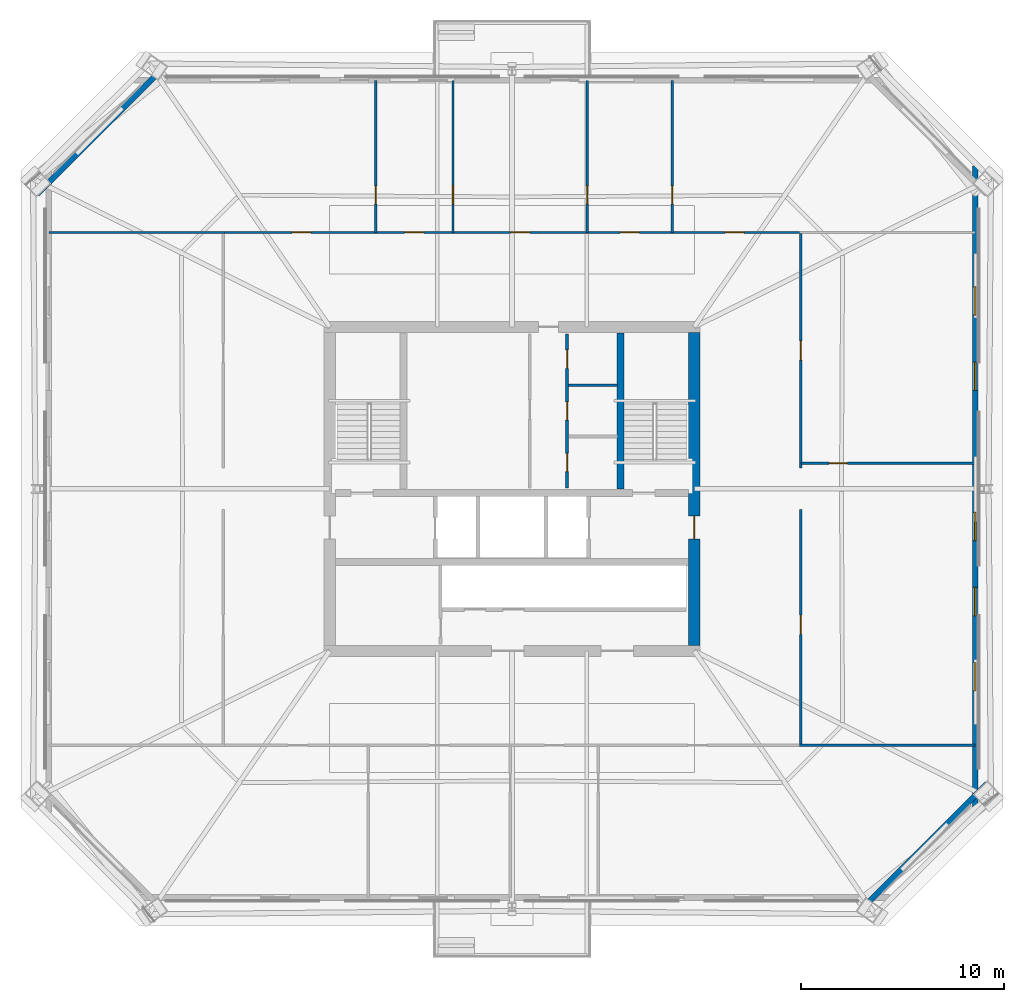
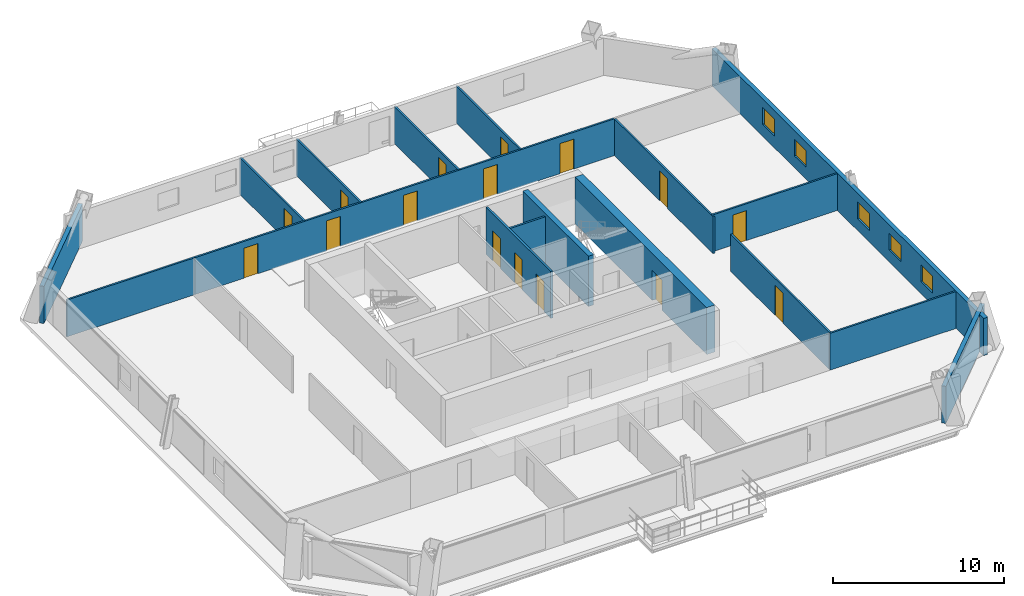
# One storey, part 4 of 7: 17 walls, 16 doors, 5 windows, 21 openings.
"""IFC4 building model written with IfcOpenShell, lengths in metres."""

import ifcopenshell
import ifcopenshell.guid

model = None  # the IFC model being written
_history = None  # IfcOwnerHistory: only IFC2X3 demands one
_inside = {}  # id of a spatial element -> (the spatial element, [elements in it])
_under = {}  # id of a project, library or spatial element -> (it, [spatial elements below it])
_declared = {}  # id of a project -> (the project, [libraries it declares])
_typed = {}  # id of a type object -> (the type object, [elements of that type])
_made_of = {}  # id of a material, layer set ... -> (it, [elements and type objects made of it])


def new_model(schema):
    """Start an empty IFC model of exactly this schema.

    Asked for "IFC4X3", IfcOpenShell would pick the latest addendum, in which some entities
    have other attributes; the version numbers below select the first issue.
    IFC2X3 requires an IfcOwnerHistory on every rooted entity: one is made here for all.
    """
    global model, _history
    if schema == "IFC4X3":
        model = ifcopenshell.file(schema_version=(4, 3, 0, 0))
    else:
        model = ifcopenshell.file(schema=schema)
    _inside.clear()
    _under.clear()
    _declared.clear()
    _typed.clear()
    _made_of.clear()
    _history = None
    if model.schema == "IFC2X3":
        org = make("IfcOrganization", Name="unknown")
        user = make(
            "IfcPersonAndOrganization",
            ThePerson=make("IfcPerson", FamilyName="unknown"),
            TheOrganization=org,
        )
        app = make(
            "IfcApplication",
            ApplicationDeveloper=org,
            Version="unknown",
            ApplicationFullName="unknown",
            ApplicationIdentifier="unknown",
        )
        _history = make(
            "IfcOwnerHistory",
            OwningUser=user,
            OwningApplication=app,
            ChangeAction="ADDED",
            CreationDate=0,
        )
    return model


def make(cls, **values):
    """One entity of the class cls with the attributes given. An attribute that is None is left unset."""
    return model.create_entity(
        cls, **{name: value for name, value in values.items() if value is not None}
    )


def rooted(cls, **values):
    """An entity with a GlobalId (a new one), such as an element, a storey or a relation."""
    return make(cls, GlobalId=ifcopenshell.guid.new(), OwnerHistory=_history, **values)


def si_unit(unit_type, name, prefix=None):
    """IfcSIUnit, for example si_unit("LENGTHUNIT", "METRE", prefix="MILLI")."""
    return make("IfcSIUnit", UnitType=unit_type, Prefix=prefix, Name=name)


def assignment(units):
    """IfcUnitAssignment: the units of a project."""
    return None if units is None else make("IfcUnitAssignment", Units=units)


def point(xyz):
    """IfcCartesianPoint."""
    return None if xyz is None else make("IfcCartesianPoint", Coordinates=xyz)


def direction(xyz):
    """IfcDirection."""
    return None if xyz is None else make("IfcDirection", DirectionRatios=xyz)


def frame(location, z_axis=None, x_axis=None):
    """IfcAxis2Placement3D, a coordinate frame: its origin and axes. An axis left out is left unset."""
    return make(
        "IfcAxis2Placement3D",
        Location=point(location),
        Axis=direction(z_axis),
        RefDirection=direction(x_axis),
    )


def frame_2d(location, x_axis=None):
    """IfcAxis2Placement2D, a coordinate frame in the plane: its origin and x axis."""
    return make(
        "IfcAxis2Placement2D", Location=point(location), RefDirection=direction(x_axis)
    )


def origin():
    """The frame at (0, 0, 0) with its axes left unset."""
    return frame((0.0, 0.0, 0.0))


def place(relative_to, where):
    """IfcLocalPlacement: puts the frame where relative to a parent placement (None: the world)."""
    return make(
        "IfcLocalPlacement", PlacementRelTo=relative_to, RelativePlacement=where
    )


def context(
    kind, dimensions, precision=None, world=None, true_north=None, identifier=None
):
    """IfcGeometricRepresentationContext, for example the 3D "Model" context."""
    return make(
        "IfcGeometricRepresentationContext",
        ContextIdentifier=identifier,
        ContextType=kind,
        CoordinateSpaceDimension=dimensions,
        Precision=precision,
        WorldCoordinateSystem=world,
        TrueNorth=true_north,
    )


def subcontext(parent, identifier, kind, view, scale=None):
    """IfcGeometricRepresentationSubContext, for example "Body" below "Model"."""
    return make(
        "IfcGeometricRepresentationSubContext",
        ContextIdentifier=identifier,
        ContextType=kind,
        ParentContext=parent,
        TargetScale=scale,
        TargetView=view,
    )


def project(units=None, contexts=None):
    """IfcProject with its units and contexts."""
    return rooted(
        "IfcProject",
        Name="project",
        RepresentationContexts=contexts,
        UnitsInContext=assignment(units),
    )


def spatial(cls, under=None, at=None, **own):
    """A site, building, storey or space (cls), placed at a placement, below another one or the project."""
    s = rooted(cls, ObjectPlacement=at, **own)
    if under is not None:
        _under.setdefault(under.id(), (under, []))[1].append(s)
    return s


def profile(cls, at=None, kind="AREA", **sizes):
    """A parametric profile (cls). Its sizes go by their IFC names, for example OverallWidth=200.0."""
    return make(cls, ProfileType=kind, Position=at, **sizes)


def rectangle(**sizes):
    """IfcRectangleProfileDef."""
    return profile("IfcRectangleProfileDef", **sizes)


def extrude(swept, where, along, depth):
    """IfcExtrudedAreaSolid: the profile swept, set in the frame where, extruded along a direction by depth."""
    return make(
        "IfcExtrudedAreaSolid",
        SweptArea=swept,
        Position=where,
        ExtrudedDirection=direction(along),
        Depth=depth,
    )


def shape(context_of_items, identifier, shape_type, items):
    """IfcShapeRepresentation: the items that make up one representation, for example the "Body"."""
    return make(
        "IfcShapeRepresentation",
        ContextOfItems=context_of_items,
        RepresentationIdentifier=identifier,
        RepresentationType=shape_type,
        Items=items,
    )


def material(Name=None, Category=None):
    """IfcMaterial."""
    return make("IfcMaterial", Name=Name, Category=Category)


def layer(
    of_material, thickness, ventilated=None, Name=None, Category=None, Priority=None
):
    """IfcMaterialLayer: one layer of a wall or slab, of a material (None: an air gap)."""
    return make(
        "IfcMaterialLayer",
        Material=of_material,
        LayerThickness=thickness,
        IsVentilated=ventilated,
        Name=Name,
        Category=Category,
        Priority=Priority,
    )


def layer_set(layers, Name=None):
    """IfcMaterialLayerSet."""
    return make("IfcMaterialLayerSet", MaterialLayers=layers, LayerSetName=Name)


def made_of(thing, what):
    """Note that an element or type object is made of a material, layer set ...; save() writes the relation."""
    if what is not None:
        _made_of.setdefault(what.id(), (what, []))[1].append(thing)
    return thing


def type_object(cls, material=None, **own):
    """A type object (cls), such as IfcWallType, which elements share."""
    return made_of(rooted(cls, **own), material)


def element(
    cls,
    number,
    at=None,
    inside=None,
    cuts=None,
    type_object=None,
    material=None,
    context=None,
    identifier="Body",
    shape_type=None,
    held_by="IfcProductDefinitionShape",
    body=None,
    shapes=None,
    **own,
):
    """One element of the class cls, such as IfcWall. Its Tag is "e" and its number.

    at: its placement. inside: the storey or other place that contains it. cuts: it is an
    opening in that element (IfcRelVoidsElement). A single representation is given by context,
    identifier, shape_type and body (its items); several are given by shapes. held_by: the class
    of the entity that holds the representations. save() writes the other relations.
    """
    e = rooted(cls, Tag="e%d" % number, ObjectPlacement=at, **own)
    if body is not None:
        shapes = [shape(context, identifier, shape_type, body)]
    if shapes is not None:
        e.Representation = make(held_by, Representations=shapes)
    if inside is not None:
        _inside.setdefault(inside.id(), (inside, []))[1].append(e)
    if cuts is not None:
        rooted(
            "IfcRelVoidsElement", RelatingBuildingElement=cuts, RelatedOpeningElement=e
        )
    if type_object is not None:
        _typed.setdefault(type_object.id(), (type_object, []))[1].append(e)
    return made_of(e, material)


def fill(opening, filler):
    """IfcRelFillsElement: the door or window that sits in an opening."""
    return rooted(
        "IfcRelFillsElement",
        RelatingOpeningElement=opening,
        RelatedBuildingElement=filler,
    )


def aggregate(whole, parts):
    """IfcRelAggregates: a whole, such as a stair, and the parts it consists of."""
    return rooted("IfcRelAggregates", RelatingObject=whole, RelatedObjects=parts)


def save(model, path):
    """Write the relations noted so far, then the file.

    IfcRelAggregates (storeys below a building ...), IfcRelContainedInSpatialStructure (elements
    in a storey), IfcRelDefinesByType, IfcRelAssociatesMaterial and IfcRelDeclares: one each for
    every whole, place, type object, material and project.
    """
    for whole, parts in _under.values():
        aggregate(whole, parts)
    for where, things in _inside.values():
        rooted(
            "IfcRelContainedInSpatialStructure",
            RelatedElements=things,
            RelatingStructure=where,
        )
    for kind, things in _typed.values():
        rooted("IfcRelDefinesByType", RelatedObjects=things, RelatingType=kind)
    for what, things in _made_of.values():
        rooted("IfcRelAssociatesMaterial", RelatedObjects=things, RelatingMaterial=what)
    for by, libraries in _declared.values():
        rooted("IfcRelDeclares", RelatingContext=by, RelatedDefinitions=libraries)
    model.write(path)


model = new_model("IFC4")

# Units and contexts
model_context = context("Model", 3, precision=1e-05, world=origin(), true_north=direction((0.0, 1.0)))
body_context = subcontext(model_context, "Body", "Model", "MODEL_VIEW")
ifc_project = project(units=[si_unit("LENGTHUNIT", "METRE"), si_unit("AREAUNIT", "SQUARE_METRE"), si_unit("VOLUMEUNIT", "CUBIC_METRE"), si_unit("PLANEANGLEUNIT", "RADIAN"), si_unit("MASSUNIT", "GRAM", prefix="KILO")], contexts=[model_context])

# Site, building, storey
site_placement = place(None, origin())
site = spatial("IfcSite", under=ifc_project, at=site_placement, CompositionType="ELEMENT")
building_placement = place(site_placement, origin())
building = spatial("IfcBuilding", under=site, at=building_placement, Name="Caelvoria Tower", CompositionType="ELEMENT")
storey_placement = place(building_placement, frame((0.0, 0.0, 113.199951171875)))
storey = spatial("IfcBuildingStorey", under=building, at=storey_placement, Name="L29", CompositionType="ELEMENT", Elevation=113.199951171875)

# Wall
ifc_material_1 = material(Name="Concrete C50/60", Category="concrete")
ifc_layer_1 = layer(ifc_material_1, 0.35009765625, Name="Concrete C50/60")
ifc_layer_set_1 = layer_set([ifc_layer_1], Name="Core Internal Shear Wall 350 - Concrete C50/60")
wall_type_1 = type_object("IfcWallType", Name="Core Internal Shear Wall 350", PredefinedType="SHEAR", material=ifc_layer_set_1)
wall_1_placement = place(storey_placement, frame((51.35009765625, 32.0, 0.0), z_axis=(0.0, 0.0, 1.0), x_axis=(0.0, 1.0, 0.0)))
element("IfcWall", 1, at=wall_1_placement, inside=storey, type_object=wall_type_1, Name="Interior Partition IW-L29-ST2W", PredefinedType="SHEAR", context=body_context, shape_type="SweptSolid", body=[
    extrude(rectangle(XDim=7.699951171875, YDim=0.35009765625, at=frame_2d((3.85009765625, 0.0))), origin(), (0.0, 0.0, 1.0), 3.60009765625),
])

# Wall, openings, doors
ifc_material_2 = material(Name="Moisture-Resistant Gypsum on Steel Stud", Category="steel")
ifc_layer_2 = layer(ifc_material_2, 0.139892578125, Name="Moisture-Resistant Gypsum on Steel Stud")
ifc_layer_set_2 = layer_set([ifc_layer_2], Name="Core Sanitary Acoustic Partition Wall 140 - Moisture-Resistant Gypsum on Steel Stud")
wall_type_2 = type_object("IfcWallType", Name="Core Sanitary Acoustic Partition Wall 140", PredefinedType="PARTITIONING", material=ifc_layer_set_2)
wall_2_placement = place(storey_placement, frame((48.719970703125, 32.050048828125, 0.0), z_axis=(0.0, 0.0, 1.0), x_axis=(0.0, 1.0, 0.0)))
wall_2 = element("IfcWall", 2, at=wall_2_placement, inside=storey, type_object=wall_type_2, Name="Interior Partition IW-L29-C2R", PredefinedType="PARTITIONING", context=body_context, shape_type="SweptSolid", body=[
    extrude(rectangle(XDim=7.599853515625, YDim=0.139892578125, at=frame_2d((3.7998046875, 0.0))), origin(), (0.0, 0.0, 1.0), 3.360107421875),
])
opening_1_placement = place(wall_2_placement, frame((0.800048828125, 0.0, 0.0)))
opening_1 = element("IfcOpeningElement", 3, at=opening_1_placement, cuts=wall_2, Name="Opening ID-04", PredefinedType="OPENING", context=body_context, shape_type="SweptSolid", body=[
    extrude(rectangle(XDim=0.89990234375, YDim=2.14990234375, at=frame_2d((0.449951171875, 1.074951171875))), frame((0.0, 0.079833984375, 0.0), z_axis=(0.0, -1.0, 0.0), x_axis=(1.0, 0.0, 0.0)), (0.0, 0.0, 1.0), 0.159912109375),
])
opening_2_placement = place(wall_2_placement, frame((3.35009765625, 0.0, 0.0)))
opening_2 = element("IfcOpeningElement", 4, at=opening_2_placement, cuts=wall_2, Name="Opening ID-06", PredefinedType="OPENING", context=body_context, shape_type="SweptSolid", body=[
    extrude(rectangle(XDim=0.89990234375, YDim=2.14990234375, at=frame_2d((0.449951171875, 1.074951171875))), frame((0.0, 0.079833984375, 0.0), z_axis=(0.0, -1.0, 0.0), x_axis=(1.0, 0.0, 0.0)), (0.0, 0.0, 1.0), 0.159912109375),
])
opening_3_placement = place(wall_2_placement, frame((5.89990234375, 0.0, 0.0)))
opening_3 = element("IfcOpeningElement", 5, at=opening_3_placement, cuts=wall_2, Name="Opening ID-07", PredefinedType="OPENING", context=body_context, shape_type="SweptSolid", body=[
    extrude(rectangle(XDim=0.919921875, YDim=2.14990234375, at=frame_2d((0.4599609375, 1.074951171875))), frame((0.0, 0.079833984375, 0.0), z_axis=(0.0, -1.0, 0.0), x_axis=(1.0, 0.0, 0.0)), (0.0, 0.0, 1.0), 0.159912109375),
])
ifc_material_3 = material(Name="Engineered Andean Oak Accessible Door", Category="wood")
door_type_1 = type_object("IfcDoorType", Name="Accessible WC Door 950x2150", OperationType="NOTDEFINED", PredefinedType="DOOR", material=ifc_material_3)
door_1_placement = place(opening_3_placement, origin())
door_1 = element("IfcDoor", 6, at=door_1_placement, inside=storey, type_object=door_type_1, Name="Interior Door DR-L29-C2E3", OperationType="SINGLE_SWING_RIGHT", OverallHeight=2.14990234375, OverallWidth=0.919921875, PredefinedType="DOOR", context=body_context, shape_type="SweptSolid", body=[
    extrude(rectangle(XDim=0.919921875, YDim=2.14990234375, at=frame_2d((0.4599609375, 1.074951171875))), frame((0.0, 0.02490234375, 0.0), z_axis=(0.0, -1.0, 0.0), x_axis=(1.0, 0.0, 0.0)), (0.0, 0.0, 1.0), 0.050048828125),
])
fill(opening_3, door_1)
ifc_material_4 = material(Name="Acoustic Timber Fire Door", Category="wood")
door_type_2 = type_object("IfcDoorType", Name="Fire Door FD30S 900x2150", OperationType="NOTDEFINED", PredefinedType="DOOR", material=ifc_material_4)
door_2_placement = place(opening_1_placement, origin())
door_2 = element("IfcDoor", 7, at=door_2_placement, inside=storey, type_object=door_type_2, Name="Interior Door DR-L29-C2E1", OperationType="SINGLE_SWING_RIGHT", OverallHeight=2.14990234375, OverallWidth=0.89990234375, PredefinedType="DOOR", context=body_context, shape_type="SweptSolid", body=[
    extrude(rectangle(XDim=0.89990234375, YDim=2.14990234375, at=frame_2d((0.449951171875, 1.074951171875))), frame((0.0, 0.02490234375, 0.0), z_axis=(0.0, -1.0, 0.0), x_axis=(1.0, 0.0, 0.0)), (0.0, 0.0, 1.0), 0.050048828125),
])
fill(opening_1, door_2)
ifc_material_5 = material(Name="Engineered Andean Oak Veneer Door", Category="wood")
door_type_3 = type_object("IfcDoorType", Name="Interior Timber Door 900x2150", OperationType="NOTDEFINED", PredefinedType="DOOR", material=ifc_material_5)
door_3_placement = place(opening_2_placement, origin())
door_3 = element("IfcDoor", 8, at=door_3_placement, inside=storey, type_object=door_type_3, Name="Interior Door DR-L29-C2E2", OperationType="SINGLE_SWING_LEFT", OverallHeight=2.14990234375, OverallWidth=0.89990234375, PredefinedType="DOOR", context=body_context, shape_type="SweptSolid", body=[
    extrude(rectangle(XDim=0.89990234375, YDim=2.14990234375, at=frame_2d((0.449951171875, 1.074951171875))), frame((0.0, 0.02490234375, 0.0), z_axis=(0.0, -1.0, 0.0), x_axis=(1.0, 0.0, 0.0)), (0.0, 0.0, 1.0), 0.050048828125),
])
fill(opening_2, door_3)

# Walls
wall_3_placement = place(storey_placement, frame((48.800048828125, 37.1201171875, 0.0), z_axis=(0.0, 0.0, 1.0), x_axis=(1.0, 0.0, 0.0)))
element("IfcWall", 9, at=wall_3_placement, inside=storey, type_object=wall_type_2, Name="Interior Partition IW-L29-C2H2", PredefinedType="PARTITIONING", context=body_context, shape_type="SweptSolid", body=[
    extrude(rectangle(XDim=2.39990234375, YDim=0.139892578125, at=frame_2d((1.199951171875, 0.0))), origin(), (0.0, 0.0, 1.0), 3.360107421875),
])
ifc_material_6 = material(Name="Precast Concrete C40/50 with Bronze Cladding", Category="concrete")
ifc_layer_3 = layer(ifc_material_6, 0.280029296875, Name="Precast Concrete C40/50 with Bronze Cladding")
ifc_layer_set_3 = layer_set([ifc_layer_3], Name="Exterior Precast Concrete C40/50 Bronze-Clad Facade Wall 280 - Precast Concrete C40/50 with Bronze Cladding")
wall_type_3 = type_object("IfcWallType", Name="Exterior Precast Concrete C40/50 Bronze-Clad Facade Wall 280", PredefinedType="STANDARD", material=ifc_layer_set_3)
wall_4_placement = place(storey_placement, frame((63.25439453125, 11.256103515625, 0.0), z_axis=(0.0, 0.0, 1.0), x_axis=(0.707106781187, 0.707106781187, 0.0)))
element("IfcWall", 10, at=wall_4_placement, inside=storey, type_object=wall_type_3, Name="Exterior Facade Wall L29-E1", PredefinedType="STANDARD", context=body_context, shape_type="SweptSolid", body=[
    extrude(rectangle(XDim=8.753173828125, YDim=0.280029296875, at=frame_2d((4.37646484375, 0.0))), origin(), (0.0, 0.0, 1.0), 2.662109375),
])

# Wall, openings, windows
wall_5_placement = place(storey_placement, frame((68.8701171875, 16.06005859375, 0.0), z_axis=(0.0, 0.0, 1.0), x_axis=(0.0, 1.0, 0.0)))
wall_5 = element("IfcWall", 11, at=wall_5_placement, inside=storey, type_object=wall_type_3, Name="Exterior Facade Wall L29-E2", PredefinedType="STANDARD", context=body_context, shape_type="SweptSolid", body=[
    extrude(rectangle(XDim=31.8798828125, YDim=0.280029296875, at=frame_2d((15.93994140625, 0.0))), origin(), (0.0, 0.0, 1.0), 2.662109375),
])
opening_4_placement = place(wall_5_placement, frame((5.965087890625, 0.0, 0.85009765625)))
opening_4 = element("IfcOpeningElement", 12, at=opening_4_placement, cuts=wall_5, Name="Opening WN-06", PredefinedType="OPENING", context=body_context, shape_type="SweptSolid", body=[
    extrude(rectangle(XDim=1.39990234375, YDim=1.199951171875, at=frame_2d((0.699951171875, 0.60009765625))), frame((0.0, 0.14990234375, 0.0), z_axis=(0.0, -1.0, 0.0), x_axis=(1.0, 0.0, 0.0)), (0.0, 0.0, 1.0), 0.300048828125),
])
opening_5_placement = place(wall_5_placement, frame((9.675048828125, 0.0, 0.85009765625)))
opening_5 = element("IfcOpeningElement", 13, at=opening_5_placement, cuts=wall_5, Name="Opening WN-06", PredefinedType="OPENING", context=body_context, shape_type="SweptSolid", body=[
    extrude(rectangle(XDim=1.39990234375, YDim=1.199951171875, at=frame_2d((0.699951171875, 0.60009765625))), frame((0.0, 0.14990234375, 0.0), z_axis=(0.0, -1.0, 0.0), x_axis=(1.0, 0.0, 0.0)), (0.0, 0.0, 1.0), 0.300048828125),
])
opening_6_placement = place(wall_5_placement, frame((13.385009765625, 0.0, 0.85009765625)))
opening_6 = element("IfcOpeningElement", 14, at=opening_6_placement, cuts=wall_5, Name="Opening WN-06", PredefinedType="OPENING", context=body_context, shape_type="SweptSolid", body=[
    extrude(rectangle(XDim=1.39990234375, YDim=1.199951171875, at=frame_2d((0.699951171875, 0.60009765625))), frame((0.0, 0.14990234375, 0.0), z_axis=(0.0, -1.0, 0.0), x_axis=(1.0, 0.0, 0.0)), (0.0, 0.0, 1.0), 0.300048828125),
])
opening_7_placement = place(wall_5_placement, frame((20.804931640625, 0.0, 0.85009765625)))
opening_7 = element("IfcOpeningElement", 15, at=opening_7_placement, cuts=wall_5, Name="Opening WN-06", PredefinedType="OPENING", context=body_context, shape_type="SweptSolid", body=[
    extrude(rectangle(XDim=1.39990234375, YDim=1.199951171875, at=frame_2d((0.699951171875, 0.60009765625))), frame((0.0, 0.14990234375, 0.0), z_axis=(0.0, -1.0, 0.0), x_axis=(1.0, 0.0, 0.0)), (0.0, 0.0, 1.0), 0.300048828125),
])
opening_8_placement = place(wall_5_placement, frame((24.514892578125, 0.0, 0.85009765625)))
opening_8 = element("IfcOpeningElement", 16, at=opening_8_placement, cuts=wall_5, Name="Opening WN-06", PredefinedType="OPENING", context=body_context, shape_type="SweptSolid", body=[
    extrude(rectangle(XDim=1.39990234375, YDim=1.199951171875, at=frame_2d((0.699951171875, 0.60009765625))), frame((0.0, 0.14990234375, 0.0), z_axis=(0.0, -1.0, 0.0), x_axis=(1.0, 0.0, 0.0)), (0.0, 0.0, 1.0), 0.300048828125),
])
ifc_material_7 = material(Name="Low-E Tinted Glass in Bronze Aluminium Frame", Category="aluminium")
window_type = type_object("IfcWindowType", Name="Podium Clerestory Window 1400x1200", PartitioningType="SINGLE_PANEL", PredefinedType="WINDOW", material=ifc_material_7)
window_1_placement = place(opening_4_placement, origin())
window_1 = element("IfcWindow", 17, at=window_1_placement, inside=storey, type_object=window_type, Name="Facade Window L29-E2-01", OverallHeight=1.199951171875, OverallWidth=1.39990234375, PartitioningType="SINGLE_PANEL", PredefinedType="WINDOW", context=body_context, shape_type="SweptSolid", body=[
    extrude(rectangle(XDim=1.39990234375, YDim=1.199951171875, at=frame_2d((0.699951171875, 0.60009765625))), frame((0.0, 0.030029296875, 0.0), z_axis=(0.0, -1.0, 0.0), x_axis=(1.0, 0.0, 0.0)), (0.0, 0.0, 1.0), 0.06005859375),
])
fill(opening_4, window_1)
window_2_placement = place(opening_5_placement, origin())
window_2 = element("IfcWindow", 18, at=window_2_placement, inside=storey, type_object=window_type, Name="Facade Window L29-E2-02", OverallHeight=1.199951171875, OverallWidth=1.39990234375, PartitioningType="SINGLE_PANEL", PredefinedType="WINDOW", context=body_context, shape_type="SweptSolid", body=[
    extrude(rectangle(XDim=1.39990234375, YDim=1.199951171875, at=frame_2d((0.699951171875, 0.60009765625))), frame((0.0, 0.030029296875, 0.0), z_axis=(0.0, -1.0, 0.0), x_axis=(1.0, 0.0, 0.0)), (0.0, 0.0, 1.0), 0.06005859375),
])
fill(opening_5, window_2)
window_3_placement = place(opening_6_placement, origin())
window_3 = element("IfcWindow", 19, at=window_3_placement, inside=storey, type_object=window_type, Name="Facade Window L29-E2-03", OverallHeight=1.199951171875, OverallWidth=1.39990234375, PartitioningType="SINGLE_PANEL", PredefinedType="WINDOW", context=body_context, shape_type="SweptSolid", body=[
    extrude(rectangle(XDim=1.39990234375, YDim=1.199951171875, at=frame_2d((0.699951171875, 0.60009765625))), frame((0.0, 0.030029296875, 0.0), z_axis=(0.0, -1.0, 0.0), x_axis=(1.0, 0.0, 0.0)), (0.0, 0.0, 1.0), 0.06005859375),
])
fill(opening_6, window_3)
window_4_placement = place(opening_7_placement, origin())
window_4 = element("IfcWindow", 20, at=window_4_placement, inside=storey, type_object=window_type, Name="Facade Window L29-E2-05", OverallHeight=1.199951171875, OverallWidth=1.39990234375, PartitioningType="SINGLE_PANEL", PredefinedType="WINDOW", context=body_context, shape_type="SweptSolid", body=[
    extrude(rectangle(XDim=1.39990234375, YDim=1.199951171875, at=frame_2d((0.699951171875, 0.60009765625))), frame((0.0, 0.030029296875, 0.0), z_axis=(0.0, -1.0, 0.0), x_axis=(1.0, 0.0, 0.0)), (0.0, 0.0, 1.0), 0.06005859375),
])
fill(opening_7, window_4)
window_5_placement = place(opening_8_placement, origin())
window_5 = element("IfcWindow", 21, at=window_5_placement, inside=storey, type_object=window_type, Name="Facade Window L29-E2-06", OverallHeight=1.199951171875, OverallWidth=1.39990234375, PartitioningType="SINGLE_PANEL", PredefinedType="WINDOW", context=body_context, shape_type="SweptSolid", body=[
    extrude(rectangle(XDim=1.39990234375, YDim=1.199951171875, at=frame_2d((0.699951171875, 0.60009765625))), frame((0.0, 0.030029296875, 0.0), z_axis=(0.0, -1.0, 0.0), x_axis=(1.0, 0.0, 0.0)), (0.0, 0.0, 1.0), 0.06005859375),
])
fill(opening_8, window_5)

# Wall
wall_6_placement = place(storey_placement, frame((28.74560546875, 52.743896484375, 0.0), z_axis=(0.0, 0.0, 1.0), x_axis=(-0.707106781187, -0.707106781187, 0.0)))
element("IfcWall", 22, at=wall_6_placement, inside=storey, type_object=wall_type_3, Name="Exterior Facade Wall L29-E5", PredefinedType="STANDARD", context=body_context, shape_type="SweptSolid", body=[
    extrude(rectangle(XDim=8.753173828125, YDim=0.280029296875, at=frame_2d((4.37646484375, 0.0))), origin(), (0.0, 0.0, 1.0), 2.662109375),
])

# Wall, opening, door
ifc_material_8 = material(Name="Concrete C55/67", Category="concrete")
ifc_layer_4 = layer(ifc_material_8, 0.550048828125, Name="Concrete C55/67")
ifc_layer_set_4 = layer_set([ifc_layer_4], Name="Mid Core Shear Wall 550 - Concrete C55/67")
wall_type_4 = type_object("IfcWallType", Name="Mid Core Shear Wall 550", PredefinedType="SHEAR", material=ifc_layer_set_4)
wall_7_placement = place(storey_placement, frame((55.0, 24.27490234375, 0.0), z_axis=(0.0, 0.0, 1.0), x_axis=(0.0, 1.0, 0.0)))
wall_7 = element("IfcWall", 23, at=wall_7_placement, inside=storey, type_object=wall_type_4, Name="Core Shear Wall L29 E", PredefinedType="SHEAR", context=body_context, shape_type="SweptSolid", body=[
    extrude(rectangle(XDim=15.4501953125, YDim=0.550048828125, at=frame_2d((7.72509765625, 0.0))), origin(), (0.0, 0.0, 1.0), 3.360107421875),
])
opening_9_placement = place(wall_7_placement, frame((5.25, 0.0, 0.0)))
opening_9 = element("IfcOpeningElement", 24, at=opening_9_placement, cuts=wall_7, Name="Opening ID-02", PredefinedType="OPENING", context=body_context, shape_type="SweptSolid", body=[
    extrude(rectangle(XDim=1.14990234375, YDim=2.14990234375, at=frame_2d((0.574951171875, 1.074951171875))), frame((0.0, 0.284912109375, 0.0), z_axis=(0.0, -1.0, 0.0), x_axis=(1.0, 0.0, 0.0)), (0.0, 0.0, 1.0), 0.570068359375),
])
ifc_material_9 = material(Name="Painted Hollow Steel Fire Door", Category="steel")
door_type_4 = type_object("IfcDoorType", Name="Fire Door FD60S 1150x2150", OperationType="NOTDEFINED", PredefinedType="DOOR", material=ifc_material_9)
door_4_placement = place(opening_9_placement, origin())
door_4 = element("IfcDoor", 25, at=door_4_placement, inside=storey, type_object=door_type_4, Name="Core Door DR-L29-FFLE-OUT", OperationType="SINGLE_SWING_RIGHT", OverallHeight=2.14990234375, OverallWidth=1.14990234375, PredefinedType="DOOR", context=body_context, shape_type="SweptSolid", body=[
    extrude(rectangle(XDim=1.14990234375, YDim=2.14990234375, at=frame_2d((0.574951171875, 1.074951171875))), frame((0.0, 0.02490234375, 0.0), z_axis=(0.0, -1.0, 0.0), x_axis=(1.0, 0.0, 0.0)), (0.0, 0.0, 1.0), 0.050048828125),
])
fill(opening_9, door_4)

ifc_material_10 = material(Name="Acoustic Gypsum Board on Light-Gauge Stud", Category="gypsum")
ifc_layer_5 = layer(ifc_material_10, 0.1201171875, Name="Acoustic Gypsum Board on Light-Gauge Stud")
ifc_layer_set_5 = layer_set([ifc_layer_5], Name="Tenant Suite Acoustic Partition Wall 120 - Acoustic Gypsum Board on Light-Gauge Stud")
wall_type_5 = type_object("IfcWallType", Name="Tenant Suite Acoustic Partition Wall 120", PredefinedType="PARTITIONING", material=ifc_layer_set_5)
wall_8_placement = place(storey_placement, frame((39.265625, 44.659912109375, 0.0), z_axis=(0.0, 0.0, 1.0), x_axis=(0.0, 1.0, 0.0)))
wall_8 = element("IfcWall", 26, at=wall_8_placement, inside=storey, type_object=wall_type_5, Name="Interior Partition IW-L29-ND-00-0", PredefinedType="PARTITIONING", context=body_context, shape_type="SweptSolid", body=[
    extrude(rectangle(XDim=7.510009765625, YDim=0.1201171875, at=frame_2d((3.7548828125, 0.0))), origin(), (0.0, 0.0, 1.0), 2.64013671875),
])
opening_10_placement = place(wall_8_placement, frame((1.39990234375, 0.0, 0.0)))
opening_10 = element("IfcOpeningElement", 27, at=opening_10_placement, cuts=wall_8, Name="Opening ID-06", PredefinedType="OPENING", context=body_context, shape_type="SweptSolid", body=[
    extrude(rectangle(XDim=0.89990234375, YDim=2.14990234375, at=frame_2d((0.449951171875, 1.074951171875))), frame((0.0, 0.070068359375, 0.0), z_axis=(0.0, -1.0, 0.0), x_axis=(1.0, 0.0, 0.0)), (0.0, 0.0, 1.0), 0.14013671875),
])
door_5_placement = place(opening_10_placement, origin())
door_5 = element("IfcDoor", 28, at=door_5_placement, inside=storey, type_object=door_type_3, Name="Interior Door DR-L29-NM-00-0", OperationType="SINGLE_SWING_RIGHT", OverallHeight=2.14990234375, OverallWidth=0.89990234375, PredefinedType="DOOR", context=body_context, shape_type="SweptSolid", body=[
    extrude(rectangle(XDim=0.89990234375, YDim=2.14990234375, at=frame_2d((0.449951171875, 1.074951171875))), frame((0.0, 0.02490234375, 0.0), z_axis=(0.0, -1.0, 0.0), x_axis=(1.0, 0.0, 0.0)), (0.0, 0.0, 1.0), 0.050048828125),
])
fill(opening_10, door_5)

wall_9_placement = place(storey_placement, frame((43.087158203125, 44.659912109375, 0.0), z_axis=(0.0, 0.0, 1.0), x_axis=(0.0, 1.0, 0.0)))
wall_9 = element("IfcWall", 29, at=wall_9_placement, inside=storey, type_object=wall_type_5, Name="Interior Partition IW-L29-ND-01-0", PredefinedType="PARTITIONING", context=body_context, shape_type="SweptSolid", body=[
    extrude(rectangle(XDim=7.510009765625, YDim=0.1201171875, at=frame_2d((3.7548828125, 0.0))), origin(), (0.0, 0.0, 1.0), 2.64013671875),
])
opening_11_placement = place(wall_9_placement, frame((1.39990234375, 0.0, 0.0)))
opening_11 = element("IfcOpeningElement", 30, at=opening_11_placement, cuts=wall_9, Name="Opening ID-06", PredefinedType="OPENING", context=body_context, shape_type="SweptSolid", body=[
    extrude(rectangle(XDim=0.89990234375, YDim=2.14990234375, at=frame_2d((0.449951171875, 1.074951171875))), frame((0.0, 0.070068359375, 0.0), z_axis=(0.0, -1.0, 0.0), x_axis=(1.0, 0.0, 0.0)), (0.0, 0.0, 1.0), 0.14013671875),
])
door_6_placement = place(opening_11_placement, origin())
door_6 = element("IfcDoor", 31, at=door_6_placement, inside=storey, type_object=door_type_3, Name="Interior Door DR-L29-NM-01-0", OperationType="SINGLE_SWING_LEFT", OverallHeight=2.14990234375, OverallWidth=0.89990234375, PredefinedType="DOOR", context=body_context, shape_type="SweptSolid", body=[
    extrude(rectangle(XDim=0.89990234375, YDim=2.14990234375, at=frame_2d((0.449951171875, 1.074951171875))), frame((0.0, 0.02490234375, 0.0), z_axis=(0.0, -1.0, 0.0), x_axis=(1.0, 0.0, 0.0)), (0.0, 0.0, 1.0), 0.050048828125),
])
fill(opening_11, door_6)

wall_10_placement = place(storey_placement, frame((49.716796875, 44.659912109375, 0.0), z_axis=(0.0, 0.0, 1.0), x_axis=(0.0, 1.0, 0.0)))
wall_10 = element("IfcWall", 32, at=wall_10_placement, inside=storey, type_object=wall_type_5, Name="Interior Partition IW-L29-ND-02-0", PredefinedType="PARTITIONING", context=body_context, shape_type="SweptSolid", body=[
    extrude(rectangle(XDim=7.510009765625, YDim=0.1201171875, at=frame_2d((3.7548828125, 0.0))), origin(), (0.0, 0.0, 1.0), 2.64013671875),
])
opening_12_placement = place(wall_10_placement, frame((1.39990234375, 0.0, 0.0)))
opening_12 = element("IfcOpeningElement", 33, at=opening_12_placement, cuts=wall_10, Name="Opening ID-06", PredefinedType="OPENING", context=body_context, shape_type="SweptSolid", body=[
    extrude(rectangle(XDim=0.89990234375, YDim=2.14990234375, at=frame_2d((0.449951171875, 1.074951171875))), frame((0.0, 0.070068359375, 0.0), z_axis=(0.0, -1.0, 0.0), x_axis=(1.0, 0.0, 0.0)), (0.0, 0.0, 1.0), 0.14013671875),
])
door_7_placement = place(opening_12_placement, origin())
door_7 = element("IfcDoor", 34, at=door_7_placement, inside=storey, type_object=door_type_3, Name="Interior Door DR-L29-NM-02-0", OperationType="SINGLE_SWING_RIGHT", OverallHeight=2.14990234375, OverallWidth=0.89990234375, PredefinedType="DOOR", context=body_context, shape_type="SweptSolid", body=[
    extrude(rectangle(XDim=0.89990234375, YDim=2.14990234375, at=frame_2d((0.449951171875, 1.074951171875))), frame((0.0, 0.02490234375, 0.0), z_axis=(0.0, -1.0, 0.0), x_axis=(1.0, 0.0, 0.0)), (0.0, 0.0, 1.0), 0.050048828125),
])
fill(opening_12, door_7)

wall_11_placement = place(storey_placement, frame((53.906494140625, 44.659912109375, 0.0), z_axis=(0.0, 0.0, 1.0), x_axis=(0.0, 1.0, 0.0)))
wall_11 = element("IfcWall", 35, at=wall_11_placement, inside=storey, type_object=wall_type_5, Name="Interior Partition IW-L29-ND-03-0", PredefinedType="PARTITIONING", context=body_context, shape_type="SweptSolid", body=[
    extrude(rectangle(XDim=7.510009765625, YDim=0.1201171875, at=frame_2d((3.7548828125, 0.0))), origin(), (0.0, 0.0, 1.0), 2.64013671875),
])
opening_13_placement = place(wall_11_placement, frame((1.39990234375, 0.0, 0.0)))
opening_13 = element("IfcOpeningElement", 36, at=opening_13_placement, cuts=wall_11, Name="Opening ID-06", PredefinedType="OPENING", context=body_context, shape_type="SweptSolid", body=[
    extrude(rectangle(XDim=0.89990234375, YDim=2.14990234375, at=frame_2d((0.449951171875, 1.074951171875))), frame((0.0, 0.070068359375, 0.0), z_axis=(0.0, -1.0, 0.0), x_axis=(1.0, 0.0, 0.0)), (0.0, 0.0, 1.0), 0.14013671875),
])
door_8_placement = place(opening_13_placement, origin())
door_8 = element("IfcDoor", 37, at=door_8_placement, inside=storey, type_object=door_type_3, Name="Interior Door DR-L29-NM-03-0", OperationType="SINGLE_SWING_LEFT", OverallHeight=2.14990234375, OverallWidth=0.89990234375, PredefinedType="DOOR", context=body_context, shape_type="SweptSolid", body=[
    extrude(rectangle(XDim=0.89990234375, YDim=2.14990234375, at=frame_2d((0.449951171875, 1.074951171875))), frame((0.0, 0.02490234375, 0.0), z_axis=(0.0, -1.0, 0.0), x_axis=(1.0, 0.0, 0.0)), (0.0, 0.0, 1.0), 0.050048828125),
])
fill(opening_13, door_8)

# Wall, openings, doors
wall_12_placement = place(storey_placement, frame((31.800048828125, 44.659912109375, 0.0), z_axis=(0.0, 0.0, 1.0), x_axis=(1.0, 0.0, 0.0)))
wall_12 = element("IfcWall", 38, at=wall_12_placement, inside=storey, type_object=wall_type_5, Name="Interior Partition IW-L29-NCW-0", PredefinedType="PARTITIONING", context=body_context, shape_type="SweptSolid", body=[
    extrude(rectangle(XDim=28.39990234375, YDim=0.1201171875, at=frame_2d((14.199951171875, 0.0))), origin(), (0.0, 0.0, 1.0), 2.64013671875),
])
opening_14_placement = place(wall_12_placement, frame((3.327880859375, 0.0, 0.0)))
opening_14 = element("IfcOpeningElement", 39, at=opening_14_placement, cuts=wall_12, Name="Opening ID-05", PredefinedType="OPENING", context=body_context, shape_type="SweptSolid", body=[
    extrude(rectangle(XDim=0.949951171875, YDim=2.14990234375, at=frame_2d((0.47509765625, 1.074951171875))), frame((0.0, 0.070068359375, 0.0), z_axis=(0.0, -1.0, 0.0), x_axis=(1.0, 0.0, 0.0)), (0.0, 0.0, 1.0), 0.14013671875),
])
opening_15_placement = place(wall_12_placement, frame((8.9013671875, 0.0, 0.0)))
opening_15 = element("IfcOpeningElement", 40, at=opening_15_placement, cuts=wall_12, Name="Opening ID-05", PredefinedType="OPENING", context=body_context, shape_type="SweptSolid", body=[
    extrude(rectangle(XDim=0.949951171875, YDim=2.14990234375, at=frame_2d((0.47509765625, 1.074951171875))), frame((0.0, 0.070068359375, 0.0), z_axis=(0.0, -1.0, 0.0), x_axis=(1.0, 0.0, 0.0)), (0.0, 0.0, 1.0), 0.14013671875),
])
opening_16_placement = place(wall_12_placement, frame((14.126953125, 0.0, 0.0)))
opening_16 = element("IfcOpeningElement", 41, at=opening_16_placement, cuts=wall_12, Name="Opening ID-05", PredefinedType="OPENING", context=body_context, shape_type="SweptSolid", body=[
    extrude(rectangle(XDim=0.949951171875, YDim=2.14990234375, at=frame_2d((0.47509765625, 1.074951171875))), frame((0.0, 0.070068359375, 0.0), z_axis=(0.0, -1.0, 0.0), x_axis=(1.0, 0.0, 0.0)), (0.0, 0.0, 1.0), 0.14013671875),
])
opening_17_placement = place(wall_12_placement, frame((19.536865234375, 0.0, 0.0)))
opening_17 = element("IfcOpeningElement", 42, at=opening_17_placement, cuts=wall_12, Name="Opening ID-05", PredefinedType="OPENING", context=body_context, shape_type="SweptSolid", body=[
    extrude(rectangle(XDim=0.949951171875, YDim=2.14990234375, at=frame_2d((0.47509765625, 1.074951171875))), frame((0.0, 0.070068359375, 0.0), z_axis=(0.0, -1.0, 0.0), x_axis=(1.0, 0.0, 0.0)), (0.0, 0.0, 1.0), 0.14013671875),
])
opening_18_placement = place(wall_12_placement, frame((24.708251953125, 0.0, 0.0)))
opening_18 = element("IfcOpeningElement", 43, at=opening_18_placement, cuts=wall_12, Name="Opening ID-05", PredefinedType="OPENING", context=body_context, shape_type="SweptSolid", body=[
    extrude(rectangle(XDim=0.949951171875, YDim=2.14990234375, at=frame_2d((0.47509765625, 1.074951171875))), frame((0.0, 0.070068359375, 0.0), z_axis=(0.0, -1.0, 0.0), x_axis=(1.0, 0.0, 0.0)), (0.0, 0.0, 1.0), 0.14013671875),
])
door_type_5 = type_object("IfcDoorType", Name="Interior Timber Door 950x2150", OperationType="NOTDEFINED", PredefinedType="DOOR", material=ifc_material_5)
door_9_placement = place(opening_14_placement, origin())
door_9 = element("IfcDoor", 44, at=door_9_placement, inside=storey, type_object=door_type_5, Name="Interior Door DR-L29-NC-00-0", OperationType="SINGLE_SWING_RIGHT", OverallHeight=2.14990234375, OverallWidth=0.949951171875, PredefinedType="DOOR", context=body_context, shape_type="SweptSolid", body=[
    extrude(rectangle(XDim=0.949951171875, YDim=2.14990234375, at=frame_2d((0.47509765625, 1.074951171875))), frame((0.0, 0.02490234375, 0.0), z_axis=(0.0, -1.0, 0.0), x_axis=(1.0, 0.0, 0.0)), (0.0, 0.0, 1.0), 0.050048828125),
])
fill(opening_14, door_9)
door_10_placement = place(opening_15_placement, origin())
door_10 = element("IfcDoor", 45, at=door_10_placement, inside=storey, type_object=door_type_5, Name="Interior Door DR-L29-NC-01-0", OperationType="SINGLE_SWING_LEFT", OverallHeight=2.14990234375, OverallWidth=0.949951171875, PredefinedType="DOOR", context=body_context, shape_type="SweptSolid", body=[
    extrude(rectangle(XDim=0.949951171875, YDim=2.14990234375, at=frame_2d((0.47509765625, 1.074951171875))), frame((0.0, 0.02490234375, 0.0), z_axis=(0.0, -1.0, 0.0), x_axis=(1.0, 0.0, 0.0)), (0.0, 0.0, 1.0), 0.050048828125),
])
fill(opening_15, door_10)
door_11_placement = place(opening_16_placement, origin())
door_11 = element("IfcDoor", 46, at=door_11_placement, inside=storey, type_object=door_type_5, Name="Interior Door DR-L29-NC-02-0", OperationType="SINGLE_SWING_RIGHT", OverallHeight=2.14990234375, OverallWidth=0.949951171875, PredefinedType="DOOR", context=body_context, shape_type="SweptSolid", body=[
    extrude(rectangle(XDim=0.949951171875, YDim=2.14990234375, at=frame_2d((0.47509765625, 1.074951171875))), frame((0.0, 0.02490234375, 0.0), z_axis=(0.0, -1.0, 0.0), x_axis=(1.0, 0.0, 0.0)), (0.0, 0.0, 1.0), 0.050048828125),
])
fill(opening_16, door_11)
door_12_placement = place(opening_17_placement, origin())
door_12 = element("IfcDoor", 47, at=door_12_placement, inside=storey, type_object=door_type_5, Name="Interior Door DR-L29-NC-03-0", OperationType="SINGLE_SWING_LEFT", OverallHeight=2.14990234375, OverallWidth=0.949951171875, PredefinedType="DOOR", context=body_context, shape_type="SweptSolid", body=[
    extrude(rectangle(XDim=0.949951171875, YDim=2.14990234375, at=frame_2d((0.47509765625, 1.074951171875))), frame((0.0, 0.02490234375, 0.0), z_axis=(0.0, -1.0, 0.0), x_axis=(1.0, 0.0, 0.0)), (0.0, 0.0, 1.0), 0.050048828125),
])
fill(opening_17, door_12)
door_13_placement = place(opening_18_placement, origin())
door_13 = element("IfcDoor", 48, at=door_13_placement, inside=storey, type_object=door_type_5, Name="Interior Door DR-L29-NC-04-0", OperationType="SINGLE_SWING_RIGHT", OverallHeight=2.14990234375, OverallWidth=0.949951171875, PredefinedType="DOOR", context=body_context, shape_type="SweptSolid", body=[
    extrude(rectangle(XDim=0.949951171875, YDim=2.14990234375, at=frame_2d((0.47509765625, 1.074951171875))), frame((0.0, 0.02490234375, 0.0), z_axis=(0.0, -1.0, 0.0), x_axis=(1.0, 0.0, 0.0)), (0.0, 0.0, 1.0), 0.050048828125),
])
fill(opening_18, door_13)

# Wall, opening, door
wall_13_placement = place(storey_placement, frame((60.260009765625, 33.26416015625, 0.0), z_axis=(0.0, 0.0, 1.0), x_axis=(1.0, 0.0, 0.0)))
wall_13 = element("IfcWall", 49, at=wall_13_placement, inside=storey, type_object=wall_type_5, Name="Interior Partition IW-L29-ED-00-0", PredefinedType="PARTITIONING", context=body_context, shape_type="SweptSolid", body=[
    extrude(rectangle(XDim=8.610107421875, YDim=0.1201171875, at=frame_2d((4.30517578125, 0.0))), origin(), (0.0, 0.0, 1.0), 2.64013671875),
])
opening_19_placement = place(wall_13_placement, frame((1.39990234375, 0.0, 0.0)))
opening_19 = element("IfcOpeningElement", 50, at=opening_19_placement, cuts=wall_13, Name="Opening ID-06", PredefinedType="OPENING", context=body_context, shape_type="SweptSolid", body=[
    extrude(rectangle(XDim=0.89990234375, YDim=2.14990234375, at=frame_2d((0.449951171875, 1.074951171875))), frame((0.0, 0.070068359375, 0.0), z_axis=(0.0, -1.0, 0.0), x_axis=(1.0, 0.0, 0.0)), (0.0, 0.0, 1.0), 0.14013671875),
])
door_14_placement = place(opening_19_placement, origin())
door_14 = element("IfcDoor", 51, at=door_14_placement, inside=storey, type_object=door_type_3, Name="Interior Door DR-L29-EM-00-0", OperationType="SINGLE_SWING_RIGHT", OverallHeight=2.14990234375, OverallWidth=0.89990234375, PredefinedType="DOOR", context=body_context, shape_type="SweptSolid", body=[
    extrude(rectangle(XDim=0.89990234375, YDim=2.14990234375, at=frame_2d((0.449951171875, 1.074951171875))), frame((0.0, 0.02490234375, 0.0), z_axis=(0.0, -1.0, 0.0), x_axis=(1.0, 0.0, 0.0)), (0.0, 0.0, 1.0), 0.050048828125),
])
fill(opening_19, door_14)

wall_14_placement = place(storey_placement, frame((60.260009765625, 19.39990234375, 0.0), z_axis=(0.0, 0.0, 1.0), x_axis=(0.0, 1.0, 0.0)))
wall_14 = element("IfcWall", 52, at=wall_14_placement, inside=storey, type_object=wall_type_5, Name="Interior Partition IW-L29-ECW-0", PredefinedType="PARTITIONING", context=body_context, shape_type="SweptSolid", body=[
    extrude(rectangle(XDim=11.580078125, YDim=0.1201171875, at=frame_2d((5.7900390625, 0.0))), origin(), (0.0, 0.0, 1.0), 2.64013671875),
])
opening_20_placement = place(wall_14_placement, frame((5.4150390625, 0.0, 0.0)))
opening_20 = element("IfcOpeningElement", 53, at=opening_20_placement, cuts=wall_14, Name="Opening ID-05", PredefinedType="OPENING", context=body_context, shape_type="SweptSolid", body=[
    extrude(rectangle(XDim=0.949951171875, YDim=2.14990234375, at=frame_2d((0.47509765625, 1.074951171875))), frame((0.0, 0.070068359375, 0.0), z_axis=(0.0, -1.0, 0.0), x_axis=(1.0, 0.0, 0.0)), (0.0, 0.0, 1.0), 0.14013671875),
])
door_15_placement = place(opening_20_placement, origin())
door_15 = element("IfcDoor", 54, at=door_15_placement, inside=storey, type_object=door_type_5, Name="Interior Door DR-L29-EC-00-0", OperationType="SINGLE_SWING_RIGHT", OverallHeight=2.14990234375, OverallWidth=0.949951171875, PredefinedType="DOOR", context=body_context, shape_type="SweptSolid", body=[
    extrude(rectangle(XDim=0.949951171875, YDim=2.14990234375, at=frame_2d((0.47509765625, 1.074951171875))), frame((0.0, 0.02490234375, 0.0), z_axis=(0.0, -1.0, 0.0), x_axis=(1.0, 0.0, 0.0)), (0.0, 0.0, 1.0), 0.050048828125),
])
fill(opening_20, door_15)

wall_15_placement = place(storey_placement, frame((60.260009765625, 33.02001953125, 0.0), z_axis=(0.0, 0.0, 1.0), x_axis=(0.0, 1.0, 0.0)))
wall_15 = element("IfcWall", 55, at=wall_15_placement, inside=storey, type_object=wall_type_5, Name="Interior Partition IW-L29-ECW-1", PredefinedType="PARTITIONING", context=body_context, shape_type="SweptSolid", body=[
    extrude(rectangle(XDim=11.580078125, YDim=0.1201171875, at=frame_2d((5.7900390625, 0.0))), origin(), (0.0, 0.0, 1.0), 2.64013671875),
])
opening_21_placement = place(wall_15_placement, frame((5.3369140625, 0.0, 0.0)))
opening_21 = element("IfcOpeningElement", 56, at=opening_21_placement, cuts=wall_15, Name="Opening ID-05", PredefinedType="OPENING", context=body_context, shape_type="SweptSolid", body=[
    extrude(rectangle(XDim=0.949951171875, YDim=2.14990234375, at=frame_2d((0.47509765625, 1.074951171875))), frame((0.0, 0.070068359375, 0.0), z_axis=(0.0, -1.0, 0.0), x_axis=(1.0, 0.0, 0.0)), (0.0, 0.0, 1.0), 0.14013671875),
])
door_16_placement = place(opening_21_placement, origin())
door_16 = element("IfcDoor", 57, at=door_16_placement, inside=storey, type_object=door_type_5, Name="Interior Door DR-L29-EC-01-0", OperationType="SINGLE_SWING_LEFT", OverallHeight=2.14990234375, OverallWidth=0.949951171875, PredefinedType="DOOR", context=body_context, shape_type="SweptSolid", body=[
    extrude(rectangle(XDim=0.949951171875, YDim=2.14990234375, at=frame_2d((0.47509765625, 1.074951171875))), frame((0.0, 0.02490234375, 0.0), z_axis=(0.0, -1.0, 0.0), x_axis=(1.0, 0.0, 0.0)), (0.0, 0.0, 1.0), 0.050048828125),
])
fill(opening_21, door_16)

# Walls
for number, where, z_axis, x_axis, name in (
    (58, (60.199951171875, 19.340087890625, 0.0), (0.0, 0.0, 1.0), (1.0, 0.0, 0.0), "Interior Partition IW-L29-BSE-0"),
    (59, (31.800048828125, 44.659912109375, 0.0), (0.0, 0.0, 1.0), (-1.0, 0.0, 0.0), "Interior Partition IW-L29-BNW-0"),
):
    element("IfcWall", number, at=place(storey_placement, frame(where, z_axis=z_axis, x_axis=x_axis)), inside=storey, type_object=wall_type_5, Name=name, PredefinedType="PARTITIONING", context=body_context, shape_type="SweptSolid", body=[
        extrude(rectangle(XDim=8.670166015625, YDim=0.1201171875, at=frame_2d((4.3349609375, 0.0))), origin(), (0.0, 0.0, 1.0), 2.64013671875),
    ])

save(model, "model.ifc")
